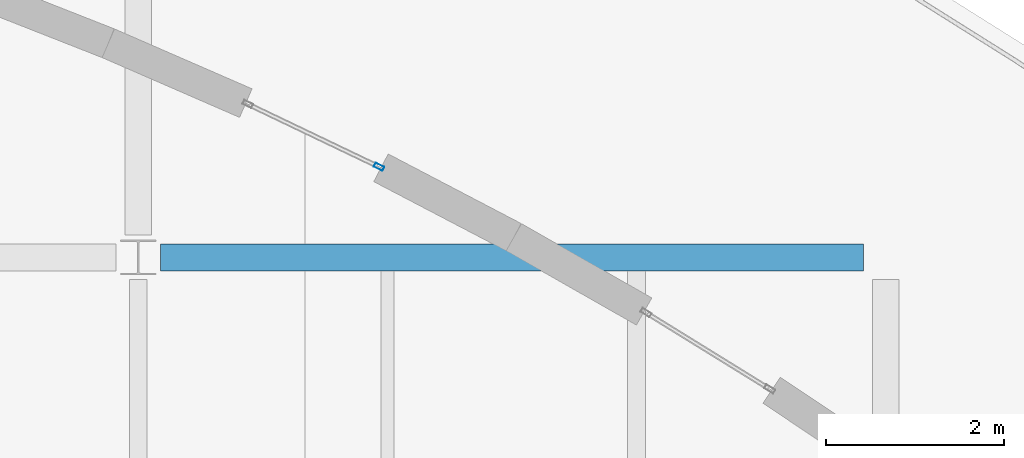
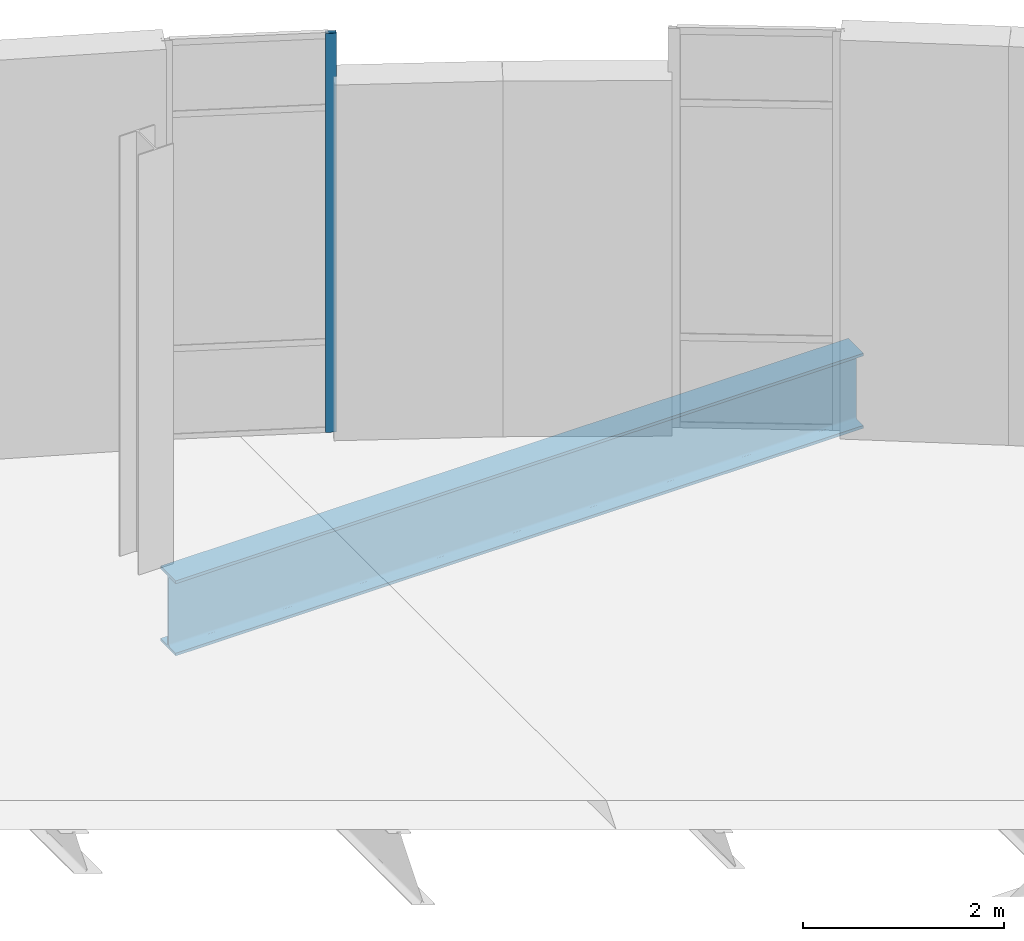
# One storey, part 55 of 103: 1 beam, 1 member, 1 element without a shape of its own.
"""IFC4 building model written with IfcOpenShell, lengths in metres."""

from ifc_helpers import new_model, si_unit, direction, frame, origin, origin_2d, place, context, subcontext, project, spatial, hollow_rectangle, i_section, extrude, material, layer, layer_set, material_profile, profile_set, type_object, element, aggregate, save


model = new_model("IFC4")

# Units and contexts
model_context = context("Model", 3, precision=1e-05, world=origin(), true_north=direction((0.0, 1.0)))
body_context = subcontext(model_context, "Body", "Model", "MODEL_VIEW")
ifc_project = project(units=[si_unit("LENGTHUNIT", "METRE"), si_unit("AREAUNIT", "SQUARE_METRE"), si_unit("VOLUMEUNIT", "CUBIC_METRE"), si_unit("PLANEANGLEUNIT", "RADIAN"), si_unit("MASSUNIT", "GRAM", prefix="KILO"), si_unit("THERMODYNAMICTEMPERATUREUNIT", "KELVIN")], contexts=[model_context])

# Site, building, storey
site_placement = place(None, origin())
site = spatial("IfcSite", under=ifc_project, at=site_placement, CompositionType="ELEMENT")
building_placement = place(site_placement, origin())
building = spatial("IfcBuilding", under=site, at=building_placement, Name="Lustrewick Department Store", CompositionType="ELEMENT")
storey_placement = place(building_placement, frame((0.0, 0.0, 16.5)))
storey = spatial("IfcBuildingStorey", under=building, at=storey_placement, Name="L04", CompositionType="ELEMENT", Elevation=16.5)

# Curtain wall, member
ifc_material_1 = material(Name="Thermally broken aluminium 6063-T5", Category="aluminium")
ifc_layer = layer(ifc_material_1, 0.110107421875, Name="Thermally broken aluminium 6063-T5")
ifc_layer_set = layer_set([ifc_layer], Name="Thermally broken aluminium 6063-T5")
curtain_wall_type = type_object("IfcCurtainWallType", Name="CW09", PredefinedType="NOTDEFINED", material=ifc_layer_set)
curtain_wall_placement = place(storey_placement, origin())
curtain_wall = element("IfcCurtainWall", 1, at=curtain_wall_placement, inside=storey, type_object=curtain_wall_type, Name="L04 V4 Curtain Wall CW09", PredefinedType="NOTDEFINED")
ifc_material_profile_1 = material_profile(ifc_material_1, hollow_rectangle(XDim=0.050048828125, YDim=0.110107421875, WallThickness=0.0029296875, at=origin_2d()), Name="ALU-M 50x110x3")
ifc_profile_set_1 = profile_set([ifc_material_profile_1], Name="Thermally broken aluminium 6063-T5")
member_type = type_object("IfcMemberType", Name="CW09-M1", PredefinedType="MULLION", material=ifc_profile_set_1)
member_placement = place(storey_placement, frame((137.10498046875, 101.818115234375, 0.0), z_axis=(0.0, 0.0, 1.0), x_axis=(-0.431596198189, -0.902066916425, 0.0)))
member = element("IfcMember", 2, at=member_placement, type_object=member_type, Name="CW09 mullion 1", PredefinedType="MULLION", context=body_context, shape_type="SweptSolid", body=[
    extrude(hollow_rectangle(XDim=0.050048828125, YDim=0.110107421875, WallThickness=0.0029296875, at=origin_2d()), origin(), (0.0, 0.0, 1.0), 4.844970703125),
])
aggregate(curtain_wall, [member])

# Beam
ifc_material_2 = material(Name="Structural steel Q355C", Category="steel")
ifc_material_profile_2 = material_profile(ifc_material_2, i_section(OverallWidth=0.302001953125, OverallDepth=0.912109375, WebThickness=0.01806640625, FlangeThickness=0.033935546875, FilletRadius=0.02392578125, at=origin_2d()), Name="HN 912x302x18x34")
ifc_profile_set_2 = profile_set([ifc_material_profile_2], Name="Structural steel Q355C")
beam_type = type_object("IfcBeamType", Name="G01", PredefinedType="BEAM", material=ifc_profile_set_2)
beam_placement = place(storey_placement, frame((134.64990234375, 100.800048828125, -0.7109375), z_axis=(1.0, 0.0, 0.0), x_axis=(0.0, 1.0, 0.0)))
element("IfcBeam", 3, at=beam_placement, inside=storey, type_object=beam_type, Name="L04 V4 Girder G01", PredefinedType="BEAM", context=body_context, shape_type="SweptSolid", body=[
    extrude(i_section(OverallWidth=0.302001953125, OverallDepth=0.912109375, WebThickness=0.01806640625, FlangeThickness=0.033935546875, FilletRadius=0.02392578125, at=origin_2d()), origin(), (0.0, 0.0, 1.0), 7.900146484375),
])

save(model, "model.ifc")
